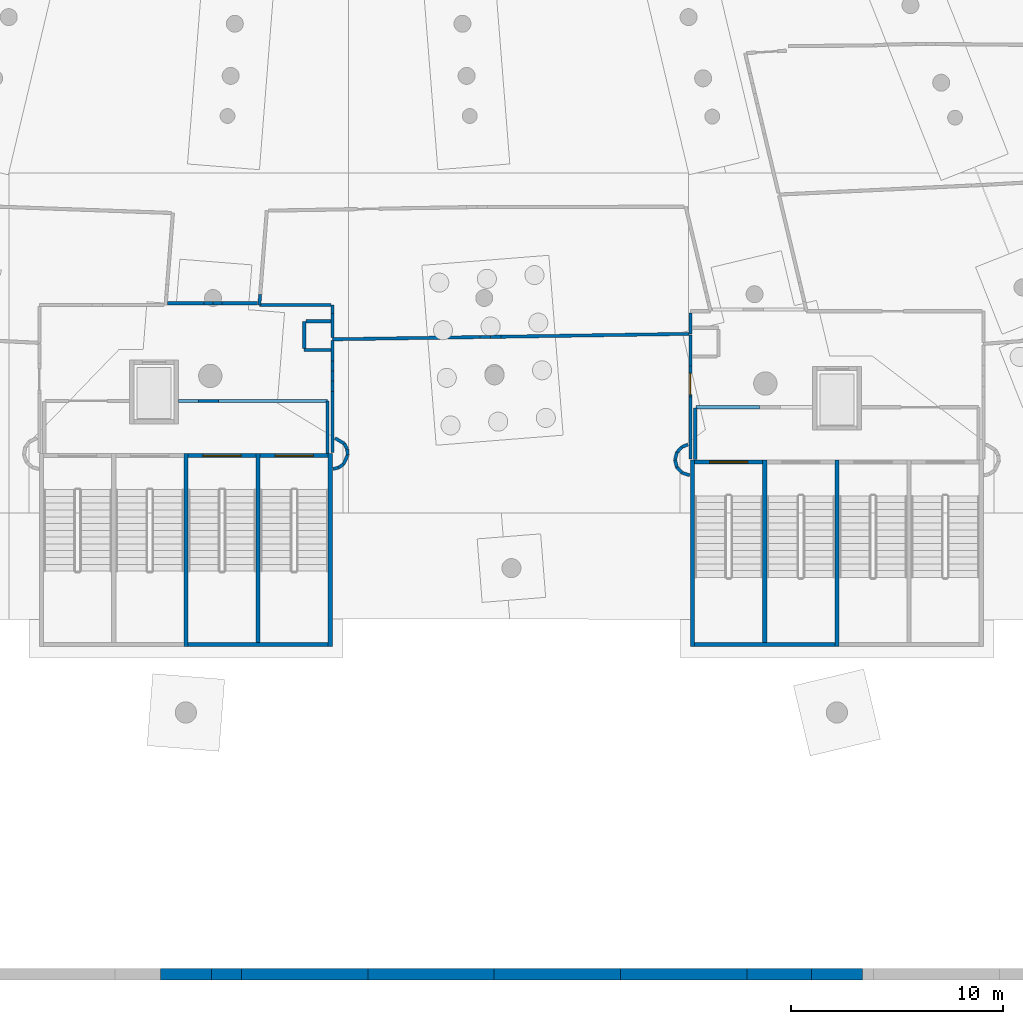
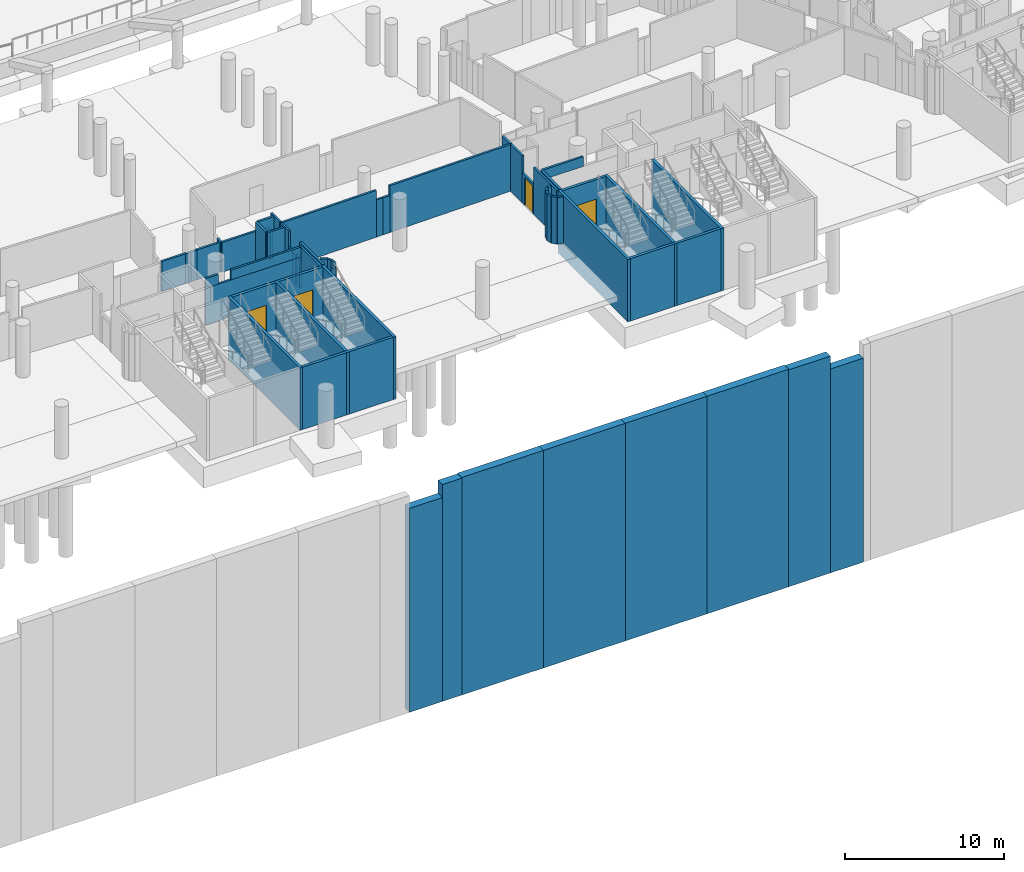
# One storey, part 50 of 142: 61 walls, 4 doors, 4 openings.
"""IFC4 building model written with IfcOpenShell, lengths in metres."""

from ifc_helpers import new_model, si_unit, direction, frame, frame_2d, origin, place, context, subcontext, project, spatial, rectangle, extrude, material, layer, layer_set, type_object, element, fill, save


model = new_model("IFC4")

# Units and contexts
model_context = context("Model", 3, precision=1e-05, world=origin(), true_north=direction((0.0, 1.0)))
body_context = subcontext(model_context, "Body", "Model", "MODEL_VIEW")
ifc_project = project(units=[si_unit("LENGTHUNIT", "METRE"), si_unit("AREAUNIT", "SQUARE_METRE"), si_unit("VOLUMEUNIT", "CUBIC_METRE"), si_unit("PLANEANGLEUNIT", "RADIAN"), si_unit("MASSUNIT", "GRAM", prefix="KILO")], contexts=[model_context])

# Site, building, storey
site_placement = place(None, origin())
site = spatial("IfcSite", under=ifc_project, at=site_placement, CompositionType="ELEMENT")
building_placement = place(site_placement, origin())
building = spatial("IfcBuilding", under=site, at=building_placement, Name="Meseta Stadium", CompositionType="ELEMENT")
storey_placement = place(building_placement, frame((0.0, 0.0, -4.0)))
storey = spatial("IfcBuildingStorey", under=building, at=storey_placement, Name="B1", CompositionType="ELEMENT", Elevation=-4.0)

# Walls
ifc_material_1 = material(Name="Concrete C40/50", Category="concrete")
ifc_layer_1 = layer(ifc_material_1, 0.199951171875)
ifc_layer_set_1 = layer_set([ifc_layer_1], Name="Core divider wall 200")
wall_type_1 = type_object("IfcWallType", Name="Core divider wall 200", PredefinedType="SHEAR", material=ifc_layer_set_1)
wall_1_placement = place(storey_placement, frame((-4.2666015625, -102.300048828125, -1.199951171875), z_axis=(0.0, 0.0, 1.0), x_axis=(0.0, 1.0, 0.0)))
element("IfcWall", 1, at=wall_1_placement, inside=storey, type_object=wall_type_1, Name="Core 24 B1 stair B divider wall", PredefinedType="SHEAR", context=body_context, shape_type="SweptSolid", body=[
    extrude(rectangle(XDim=9.10009765625, YDim=0.199951171875, at=frame_2d((4.550048828125, 0.0))), origin(), (0.0, 0.0, 1.0), 4.800048828125),
])
wall_2_placement = place(storey_placement, frame((19.60009765625, -102.300048828125, -1.199951171875), z_axis=(0.0, 0.0, 1.0), x_axis=(0.0, 1.0, 0.0)))
element("IfcWall", 2, at=wall_2_placement, inside=storey, type_object=wall_type_1, Name="Core 25 B1 stair A divider wall", PredefinedType="SHEAR", context=body_context, shape_type="SweptSolid", body=[
    extrude(rectangle(XDim=8.800048828125, YDim=0.199951171875, at=frame_2d((4.39990234375, 0.0))), origin(), (0.0, 0.0, 1.0), 4.800048828125),
])
ifc_material_2 = material(Name="Concrete C40/50", Category="concrete")
ifc_layer_2 = layer(ifc_material_2, 0.199951171875)
ifc_layer_set_2 = layer_set([ifc_layer_2], Name="Core shaft wall 200")
wall_type_2 = type_object("IfcWallType", Name="Core shaft wall 200", PredefinedType="SHEAR", material=ifc_layer_set_2)
for number, where, z_axis, x_axis, name in (
    (3, (-7.666748046875, -102.300048828125, -1.199951171875), (0.0, 0.0, 1.0), (0.0, 1.0, 0.0), "Core 24 B1 stair wall shared"),
    (4, (-0.86669921875, -102.300048828125, -1.199951171875), (0.0, 0.0, 1.0), (0.0, 1.0, 0.0), "Core 24 B1 stair wall B-side"),
):
    element("IfcWall", number, at=place(storey_placement, frame(where, z_axis=z_axis, x_axis=x_axis)), inside=storey, type_object=wall_type_2, Name=name, PredefinedType="SHEAR", context=body_context, shape_type="SweptSolid", body=[
        extrude(rectangle(XDim=9.10009765625, YDim=0.199951171875, at=frame_2d((4.550048828125, 0.0))), origin(), (0.0, 0.0, 1.0), 4.800048828125),
    ])
wall_3_placement = place(storey_placement, frame((-7.566650390625, -102.199951171875, -1.199951171875), z_axis=(0.0, 0.0, 1.0), x_axis=(1.0, 0.0, 0.0)))
element("IfcWall", 5, at=wall_3_placement, inside=storey, type_object=wall_type_2, Name="Core 24 B1 stair B outer end wall", PredefinedType="SHEAR", context=body_context, shape_type="SweptSolid", body=[
    extrude(rectangle(XDim=6.599853515625, YDim=0.199951171875, at=frame_2d((3.2998046875, 0.0))), origin(), (0.0, 0.0, 1.0), 4.800048828125),
])

# Wall, opening, door
wall_4_placement = place(storey_placement, frame((-7.566650390625, -93.300048828125, -1.199951171875), z_axis=(0.0, 0.0, 1.0), x_axis=(1.0, 0.0, 0.0)))
wall_4 = element("IfcWall", 6, at=wall_4_placement, inside=storey, type_object=wall_type_2, Name="Core 24 B1 stair B1 inner end wall", PredefinedType="SHEAR", context=body_context, shape_type="SweptSolid", body=[
    extrude(rectangle(XDim=3.199951171875, YDim=0.199951171875, at=frame_2d((1.60009765625, 0.0))), origin(), (0.0, 0.0, 1.0), 4.800048828125),
])
opening_1_placement = place(wall_4_placement, frame((0.699951171875, 0.0, 1.199951171875)))
opening_1 = element("IfcOpeningElement", 7, at=opening_1_placement, cuts=wall_4, Name="Opening D319", PredefinedType="OPENING", context=body_context, shape_type="SweptSolid", body=[
    extrude(rectangle(XDim=1.800048828125, YDim=2.10009765625, at=frame_2d((0.89990234375, 1.050048828125))), frame((0.0, 0.10986328125, 0.0), z_axis=(0.0, -1.0, 0.0), x_axis=(1.0, 0.0, 0.0)), (0.0, 0.0, 1.0), 0.219970703125),
])
ifc_material_3 = material(Name="Steel", Category="steel")
door_type_1 = type_object("IfcDoorType", Name="Stair door 1800x2100", OperationType="DOUBLE_DOOR_SINGLE_SWING", PredefinedType="DOOR", material=ifc_material_3)
door_1_placement = place(opening_1_placement, origin())
door_1 = element("IfcDoor", 8, at=door_1_placement, inside=storey, type_object=door_type_1, Name="Stair B1 door 24 B1", OperationType="DOUBLE_DOOR_SINGLE_SWING", OverallHeight=2.10009765625, OverallWidth=1.800048828125, PredefinedType="DOOR", context=body_context, shape_type="SweptSolid", body=[
    extrude(rectangle(XDim=1.800048828125, YDim=2.10009765625, at=frame_2d((0.89990234375, 1.050048828125))), frame((0.0, 0.02490234375, 0.0), z_axis=(0.0, -1.0, 0.0), x_axis=(1.0, 0.0, 0.0)), (0.0, 0.0, 1.0), 0.050048828125),
])
fill(opening_1, door_1)

wall_5_placement = place(storey_placement, frame((-4.166748046875, -93.300048828125, -1.199951171875), z_axis=(0.0, 0.0, 1.0), x_axis=(1.0, 0.0, 0.0)))
wall_5 = element("IfcWall", 9, at=wall_5_placement, inside=storey, type_object=wall_type_2, Name="Core 24 B1 stair B2 inner end wall", PredefinedType="SHEAR", context=body_context, shape_type="SweptSolid", body=[
    extrude(rectangle(XDim=3.199951171875, YDim=0.199951171875, at=frame_2d((1.60009765625, 0.0))), origin(), (0.0, 0.0, 1.0), 4.800048828125),
])
opening_2_placement = place(wall_5_placement, frame((0.699951171875, 0.0, 1.199951171875)))
opening_2 = element("IfcOpeningElement", 10, at=opening_2_placement, cuts=wall_5, Name="Opening D320", PredefinedType="OPENING", context=body_context, shape_type="SweptSolid", body=[
    extrude(rectangle(XDim=1.800048828125, YDim=2.10009765625, at=frame_2d((0.89990234375, 1.050048828125))), frame((0.0, 0.10986328125, 0.0), z_axis=(0.0, -1.0, 0.0), x_axis=(1.0, 0.0, 0.0)), (0.0, 0.0, 1.0), 0.219970703125),
])
door_2_placement = place(opening_2_placement, origin())
door_2 = element("IfcDoor", 11, at=door_2_placement, inside=storey, type_object=door_type_1, Name="Stair B2 door 24 B1", OperationType="DOUBLE_DOOR_SINGLE_SWING", OverallHeight=2.10009765625, OverallWidth=1.800048828125, PredefinedType="DOOR", context=body_context, shape_type="SweptSolid", body=[
    extrude(rectangle(XDim=1.800048828125, YDim=2.10009765625, at=frame_2d((0.89990234375, 1.050048828125))), frame((0.0, 0.02490234375, 0.0), z_axis=(0.0, -1.0, 0.0), x_axis=(1.0, 0.0, 0.0)), (0.0, 0.0, 1.0), 0.050048828125),
])
fill(opening_2, door_2)

# Walls
for number, where, z_axis, x_axis, name in (
    (12, (16.199951171875, -102.300048828125, -1.199951171875), (0.0, 0.0, 1.0), (0.0, 1.0, 0.0), "Core 25 B1 stair wall A-side"),
    (13, (23.0, -102.300048828125, -1.199951171875), (0.0, 0.0, 1.0), (0.0, 1.0, 0.0), "Core 25 B1 stair wall shared"),
):
    element("IfcWall", number, at=place(storey_placement, frame(where, z_axis=z_axis, x_axis=x_axis)), inside=storey, type_object=wall_type_2, Name=name, PredefinedType="SHEAR", context=body_context, shape_type="SweptSolid", body=[
        extrude(rectangle(XDim=8.800048828125, YDim=0.199951171875, at=frame_2d((4.39990234375, 0.0))), origin(), (0.0, 0.0, 1.0), 4.800048828125),
    ])
wall_6_placement = place(storey_placement, frame((16.300048828125, -102.199951171875, -1.199951171875), z_axis=(0.0, 0.0, 1.0), x_axis=(1.0, 0.0, 0.0)))
element("IfcWall", 14, at=wall_6_placement, inside=storey, type_object=wall_type_2, Name="Core 25 B1 stair A outer end wall", PredefinedType="SHEAR", context=body_context, shape_type="SweptSolid", body=[
    extrude(rectangle(XDim=6.599853515625, YDim=0.199951171875, at=frame_2d((3.2998046875, 0.0))), origin(), (0.0, 0.0, 1.0), 4.800048828125),
])

# Wall, opening, door
wall_7_placement = place(storey_placement, frame((16.300048828125, -93.60009765625, -1.199951171875), z_axis=(0.0, 0.0, 1.0), x_axis=(1.0, 0.0, 0.0)))
wall_7 = element("IfcWall", 15, at=wall_7_placement, inside=storey, type_object=wall_type_2, Name="Core 25 B1 stair A1 inner end wall", PredefinedType="SHEAR", context=body_context, shape_type="SweptSolid", body=[
    extrude(rectangle(XDim=3.199951171875, YDim=0.199951171875, at=frame_2d((1.60009765625, 0.0))), origin(), (0.0, 0.0, 1.0), 4.800048828125),
])
opening_3_placement = place(wall_7_placement, frame((0.699951171875, 0.0, 1.199951171875)))
opening_3 = element("IfcOpeningElement", 16, at=opening_3_placement, cuts=wall_7, Name="Opening D329", PredefinedType="OPENING", context=body_context, shape_type="SweptSolid", body=[
    extrude(rectangle(XDim=1.800048828125, YDim=2.10009765625, at=frame_2d((0.89990234375, 1.050048828125))), frame((0.0, 0.10986328125, 0.0), z_axis=(0.0, -1.0, 0.0), x_axis=(1.0, 0.0, 0.0)), (0.0, 0.0, 1.0), 0.219970703125),
])
door_3_placement = place(opening_3_placement, origin())
door_3 = element("IfcDoor", 17, at=door_3_placement, inside=storey, type_object=door_type_1, Name="Stair A1 door 25 B1", OperationType="DOUBLE_DOOR_SINGLE_SWING", OverallHeight=2.10009765625, OverallWidth=1.800048828125, PredefinedType="DOOR", context=body_context, shape_type="SweptSolid", body=[
    extrude(rectangle(XDim=1.800048828125, YDim=2.10009765625, at=frame_2d((0.89990234375, 1.050048828125))), frame((0.0, 0.02490234375, 0.0), z_axis=(0.0, -1.0, 0.0), x_axis=(1.0, 0.0, 0.0)), (0.0, 0.0, 1.0), 0.050048828125),
])
fill(opening_3, door_3)

# Walls
ifc_material_4 = material(Name="Masonry blockwork", Category="masonry")
ifc_layer_3 = layer(ifc_material_4, 0.14990234375)
ifc_layer_set_3 = layer_set([ifc_layer_3], Name="Partition 150")
wall_type_3 = type_object("IfcWallType", Name="Partition 150", PredefinedType="PARTITIONING", material=ifc_layer_set_3)
wall_8_placement = place(storey_placement, frame((16.10009765625, -86.574951171875, 0.0), z_axis=(0.0, 0.0, 1.0), x_axis=(0.0, -1.0, 0.0)))
element("IfcWall", 18, at=wall_8_placement, inside=storey, type_object=wall_type_3, Name="Partition B1 B1-cell23-1-0", PredefinedType="PARTITIONING", context=body_context, shape_type="SweptSolid", body=[
    extrude(rectangle(XDim=0.9892578125, YDim=0.14990234375, at=frame_2d((0.49462890625, 0.0))), origin(), (0.0, 0.0, 1.0), 3.60009765625),
])
wall_9_placement = place(storey_placement, frame((16.02490234375, -87.5654296875, 0.0), z_axis=(0.0, 0.0, 1.0), x_axis=(-0.999882927084, -0.015301376583, 0.0)))
element("IfcWall", 19, at=wall_9_placement, inside=storey, type_object=wall_type_3, Name="Partition B1 B1-cell23-1-0", PredefinedType="PARTITIONING", context=body_context, shape_type="SweptSolid", body=[
    extrude(rectangle(XDim=8.855224609375, YDim=0.14990234375, at=frame_2d((4.427734375, 0.0))), origin(), (0.0, 0.0, 1.0), 3.60009765625),
])
for number, where, z_axis, x_axis, name in (
    (20, (7.170654296875, -87.700927734375, 0.0), (0.0, 0.0, 1.0), (-0.999883648983, -0.015254130472, 0.0), "Partition B1 B1-cell23-1-0"),
    (21, (6.674560546875, -87.70849609375, 0.0), (0.0, 0.0, 1.0), (-0.999876022811, -0.015746079099, 0.0), "Partition B1 B1-cell23-1-0"),
):
    element("IfcWall", number, at=place(storey_placement, frame(where, z_axis=z_axis, x_axis=x_axis)), inside=storey, type_object=wall_type_3, Name=name, PredefinedType="PARTITIONING", context=body_context, shape_type="SweptSolid", body=[
        extrude(rectangle(XDim=0.49609375, YDim=0.14990234375, at=frame_2d((0.248046875, 0.0))), origin(), (0.0, 0.0, 1.0), 2.85009765625),
    ])
wall_10_placement = place(storey_placement, frame((6.178466796875, -87.71630859375, 0.0), z_axis=(0.0, 0.0, 1.0), x_axis=(-0.999883104063, -0.01528980737, 0.0)))
element("IfcWall", 22, at=wall_10_placement, inside=storey, type_object=wall_type_3, Name="Partition B1 B1-cell23-1-0", PredefinedType="PARTITIONING", context=body_context, shape_type="SweptSolid", body=[
    extrude(rectangle(XDim=6.94580078125, YDim=0.14990234375, at=frame_2d((3.472900390625, 0.0))), origin(), (0.0, 0.0, 1.0), 3.60009765625),
])
wall_11_placement = place(storey_placement, frame((-0.7666015625, -87.74755859375, 0.0), z_axis=(0.0, 0.0, 1.0), x_axis=(0.0, 1.0, 0.0)))
element("IfcWall", 23, at=wall_11_placement, inside=storey, type_object=wall_type_3, Name="Partition B1 B1-cell23-1-0", PredefinedType="PARTITIONING", context=body_context, shape_type="SweptSolid", body=[
    extrude(rectangle(XDim=1.141845703125, YDim=0.14990234375, at=frame_2d((0.57080078125, 0.0))), origin(), (0.0, 0.0, 1.0), 3.60009765625),
])
wall_12_placement = place(storey_placement, frame((-0.7666015625, -86.605712890625, 0.0), z_axis=(0.0, 0.0, 1.0), x_axis=(0.0, 1.0, 0.0)))
element("IfcWall", 24, at=wall_12_placement, inside=storey, type_object=wall_type_3, Name="Partition B1 B1-cell23-1-0", PredefinedType="PARTITIONING", context=body_context, shape_type="SweptSolid", body=[
    extrude(rectangle(XDim=0.40576171875, YDim=0.14990234375, at=frame_2d((0.202880859375, 0.0))), origin(), (0.0, 0.0, 1.0), 2.300048828125),
])
wall_13_placement = place(storey_placement, frame((-0.841796875, -86.199951171875, 0.0), z_axis=(0.0, 0.0, 1.0), x_axis=(-1.0, 0.0, 0.0)))
element("IfcWall", 25, at=wall_13_placement, inside=storey, type_object=wall_type_3, Name="Partition B1 B1-cell23-1-0", PredefinedType="PARTITIONING", context=body_context, shape_type="SweptSolid", body=[
    extrude(rectangle(XDim=3.364013671875, YDim=0.14990234375, at=frame_2d((1.68212890625, 0.0))), origin(), (0.0, 0.0, 1.0), 2.300048828125),
])
wall_14_placement = place(storey_placement, frame((-4.205810546875, -86.199951171875, 0.0), z_axis=(0.0, 0.0, 1.0), x_axis=(0.078999477554, 0.99687465739, 0.0)))
element("IfcWall", 26, at=wall_14_placement, inside=storey, type_object=wall_type_3, Name="Partition B1 B1-cell23-1-0", PredefinedType="PARTITIONING", context=body_context, shape_type="SweptSolid", body=[
    extrude(rectangle(XDim=0.494384765625, YDim=0.14990234375, at=frame_2d((0.2470703125, 0.0))), origin(), (0.0, 0.0, 1.0), 2.300048828125),
])
wall_15_placement = place(storey_placement, frame((-0.7666015625, -93.159912109375, 0.0), z_axis=(0.0, 0.0, 1.0), x_axis=(0.0, 1.0, 0.0)))
element("IfcWall", 27, at=wall_15_placement, inside=storey, type_object=wall_type_3, Name="Partition B1 B1-cell23-2-0", PredefinedType="PARTITIONING", context=body_context, shape_type="SweptSolid", body=[
    extrude(rectangle(XDim=2.884033203125, YDim=0.14990234375, at=frame_2d((1.44189453125, 0.0))), origin(), (0.0, 0.0, 1.0), 3.60009765625),
])
wall_16_placement = place(storey_placement, frame((-0.7666015625, -90.27587890625, 0.0), z_axis=(0.0, 0.0, 1.0), x_axis=(0.0, 1.0, 0.0)))
element("IfcWall", 28, at=wall_16_placement, inside=storey, type_object=wall_type_3, Name="Partition B1 B1-cell23-2-0", PredefinedType="PARTITIONING", context=body_context, shape_type="SweptSolid", body=[
    extrude(rectangle(XDim=0.48046875, YDim=0.14990234375, at=frame_2d((0.240234375, 0.0))), origin(), (0.0, 0.0, 1.0), 2.300048828125),
])
for number, where, z_axis, x_axis, name in (
    (29, (-0.7666015625, -89.79541015625, 0.0), (0.0, 0.0, 1.0), (0.0, 1.0, 0.0), "Partition B1 B1-cell23-2-0"),
    (30, (-0.7666015625, -89.314697265625, 0.0), (0.0, 0.0, 1.0), (0.0, 1.0, 0.0), "Partition B1 B1-cell23-2-0"),
):
    element("IfcWall", number, at=place(storey_placement, frame(where, z_axis=z_axis, x_axis=x_axis)), inside=storey, type_object=wall_type_3, Name=name, PredefinedType="PARTITIONING", context=body_context, shape_type="SweptSolid", body=[
        extrude(rectangle(XDim=0.480712890625, YDim=0.14990234375, at=frame_2d((0.240234375, 0.0))), origin(), (0.0, 0.0, 1.0), 2.300048828125),
    ])
wall_17_placement = place(storey_placement, frame((-0.7666015625, -88.833984375, 0.0), z_axis=(0.0, 0.0, 1.0), x_axis=(0.0, 1.0, 0.0)))
element("IfcWall", 31, at=wall_17_placement, inside=storey, type_object=wall_type_3, Name="Partition B1 B1-cell23-2-0", PredefinedType="PARTITIONING", context=body_context, shape_type="SweptSolid", body=[
    extrude(rectangle(XDim=0.96142578125, YDim=0.14990234375, at=frame_2d((0.480712890625, 0.0))), origin(), (0.0, 0.0, 1.0), 3.60009765625),
])
wall_18_placement = place(storey_placement, frame((16.10009765625, -87.6142578125, 0.0), z_axis=(0.0, 0.0, 1.0), x_axis=(0.0, -1.0, 0.0)))
element("IfcWall", 32, at=wall_18_placement, inside=storey, type_object=wall_type_3, Name="Partition B1 B1-cell23-2-0", PredefinedType="PARTITIONING", context=body_context, shape_type="SweptSolid", body=[
    extrude(rectangle(XDim=1.46142578125, YDim=0.14990234375, at=frame_2d((0.730712890625, 0.0))), origin(), (0.0, 0.0, 1.0), 3.60009765625),
])

# Wall, opening, door
wall_19_placement = place(storey_placement, frame((16.10009765625, -89.07568359375, 0.0), z_axis=(0.0, 0.0, 1.0), x_axis=(0.0, -1.0, 0.0)))
wall_19 = element("IfcWall", 33, at=wall_19_placement, inside=storey, type_object=wall_type_3, Name="Partition B1 B1-cell23-2-0", PredefinedType="PARTITIONING", context=body_context, shape_type="SweptSolid", body=[
    extrude(rectangle(XDim=1.46142578125, YDim=0.14990234375, at=frame_2d((0.730712890625, 0.0))), origin(), (0.0, 0.0, 1.0), 2.300048828125),
])
opening_4_placement = place(wall_19_placement, frame((0.35009765625, 0.0, 0.0)))
opening_4 = element("IfcOpeningElement", 34, at=opening_4_placement, cuts=wall_19, Name="Opening D500", PredefinedType="OPENING", context=body_context, shape_type="SweptSolid", body=[
    extrude(rectangle(XDim=1.0, YDim=2.10009765625, at=frame_2d((0.5, 1.050048828125))), frame((0.0, 0.0849609375, 0.0), z_axis=(0.0, -1.0, 0.0), x_axis=(1.0, 0.0, 0.0)), (0.0, 0.0, 1.0), 0.169921875),
])
ifc_material_5 = material(Name="Steel", Category="steel")
door_type_2 = type_object("IfcDoorType", Name="Fire door 1000x2100 EI2 120", OperationType="NOTDEFINED", PredefinedType="DOOR", material=ifc_material_5)
door_4_placement = place(opening_4_placement, origin())
door_4 = element("IfcDoor", 35, at=door_4_placement, inside=storey, type_object=door_type_2, Name="Door D500", OperationType="SINGLE_SWING_RIGHT", OverallHeight=2.10009765625, OverallWidth=1.0, PredefinedType="DOOR", context=body_context, shape_type="SweptSolid", body=[
    extrude(rectangle(XDim=1.0, YDim=2.10009765625, at=frame_2d((0.5, 1.050048828125))), frame((0.0, 0.02490234375, 0.0), z_axis=(0.0, -1.0, 0.0), x_axis=(1.0, 0.0, 0.0)), (0.0, 0.0, 1.0), 0.050048828125),
])
fill(opening_4, door_4)

# Walls
wall_20_placement = place(storey_placement, frame((16.10009765625, -90.537109375, 0.0), z_axis=(0.0, 0.0, 1.0), x_axis=(0.0, -1.0, 0.0)))
element("IfcWall", 36, at=wall_20_placement, inside=storey, type_object=wall_type_3, Name="Partition B1 B1-cell23-2-0", PredefinedType="PARTITIONING", context=body_context, shape_type="SweptSolid", body=[
    extrude(rectangle(XDim=2.9228515625, YDim=0.14990234375, at=frame_2d((1.46142578125, 0.0))), origin(), (0.0, 0.0, 1.0), 3.60009765625),
])
wall_21_placement = place(storey_placement, frame((-2.091796875, -88.324951171875, 0.0), z_axis=(0.0, 0.0, 1.0), x_axis=(1.0, 0.0, 0.0)))
element("IfcWall", 37, at=wall_21_placement, inside=storey, type_object=wall_type_3, Name="Pressurisation shaft wall B1 core 24", PredefinedType="PARTITIONING", context=body_context, shape_type="SweptSolid", body=[
    extrude(rectangle(XDim=1.2490234375, YDim=0.14990234375, at=frame_2d((0.62451171875, 0.0))), origin(), (0.0, 0.0, 1.0), 3.60009765625),
])
wall_22_placement = place(storey_placement, frame((-0.8427734375, -86.97509765625, 0.0), z_axis=(0.0, 0.0, 1.0), x_axis=(-1.0, 0.0, 0.0)))
element("IfcWall", 38, at=wall_22_placement, inside=storey, type_object=wall_type_3, Name="Pressurisation shaft wall B1 core 24", PredefinedType="PARTITIONING", context=body_context, shape_type="SweptSolid", body=[
    extrude(rectangle(XDim=1.173828125, YDim=0.14990234375, at=frame_2d((0.5869140625, 0.0))), origin(), (0.0, 0.0, 1.0), 3.60009765625),
])
wall_23_placement = place(storey_placement, frame((-2.091796875, -86.97509765625, 0.0), z_axis=(0.0, 0.0, 1.0), x_axis=(0.0, -1.0, 0.0)))
element("IfcWall", 39, at=wall_23_placement, inside=storey, type_object=wall_type_3, Name="Pressurisation shaft wall B1 core 24", PredefinedType="PARTITIONING", context=body_context, shape_type="SweptSolid", body=[
    extrude(rectangle(XDim=1.27490234375, YDim=0.14990234375, at=frame_2d((0.637451171875, 0.0))), origin(), (0.0, 0.0, 1.0), 3.60009765625),
])
wall_24_placement = place(storey_placement, frame((-0.99169921875, -93.18994140625, 0.0), z_axis=(0.0, 0.0, 1.0), x_axis=(0.0, 1.0, 0.0)))
element("IfcWall", 40, at=wall_24_placement, inside=storey, type_object=wall_type_3, Name="Stair vestibule wall B1 core 24", PredefinedType="PARTITIONING", context=body_context, shape_type="SweptSolid", body=[
    extrude(rectangle(XDim=2.46484375, YDim=0.14990234375, at=frame_2d((1.232421875, 0.0))), origin(), (0.0, 0.0, 1.0), 3.60009765625),
])
wall_25_placement = place(storey_placement, frame((-0.99169921875, -90.72509765625, 0.0), z_axis=(0.0, 0.0, 1.0), x_axis=(-1.0, 0.0, 0.0)))
element("IfcWall", 41, at=wall_25_placement, inside=storey, type_object=wall_type_3, Name="Stair vestibule wall B1 core 24", PredefinedType="PARTITIONING", context=body_context, shape_type="SweptSolid", body=[
    extrude(rectangle(XDim=7.014892578125, YDim=0.14990234375, at=frame_2d((3.50732421875, 0.0))), origin(), (0.0, 0.0, 1.0), 2.85009765625),
])
wall_26_placement = place(storey_placement, frame((-0.99169921875, -90.72509765625, 2.85009765625), z_axis=(0.0, 0.0, 1.0), x_axis=(-1.0, 0.0, 0.0)))
element("IfcWall", 42, at=wall_26_placement, inside=storey, type_object=wall_type_3, Name="Stair vestibule wall B1 core 24", PredefinedType="PARTITIONING", context=body_context, shape_type="SweptSolid", body=[
    extrude(rectangle(XDim=5.144287109375, YDim=0.14990234375, at=frame_2d((2.572265625, 0.0))), origin(), (0.0, 0.0, 1.0), 0.75),
])
wall_27_placement = place(storey_placement, frame((-7.0712890625, -90.72509765625, 2.85009765625), z_axis=(0.0, 0.0, 1.0), x_axis=(-1.0, 0.0, 0.0)))
element("IfcWall", 43, at=wall_27_placement, inside=storey, type_object=wall_type_3, Name="Stair vestibule wall B1 core 24", PredefinedType="PARTITIONING", context=body_context, shape_type="SweptSolid", body=[
    extrude(rectangle(XDim=0.935302734375, YDim=0.14990234375, at=frame_2d((0.4677734375, 0.0))), origin(), (0.0, 0.0, 1.0), 0.75),
])
wall_28_placement = place(storey_placement, frame((-0.73828125, -93.9296875, 0.0), z_axis=(0.0, 0.0, 1.0), x_axis=(0.973130593004, 0.230253879357, 0.0)))
element("IfcWall", 44, at=wall_28_placement, inside=storey, type_object=wall_type_3, Name="Stair vestibule wall B1 core 24", PredefinedType="PARTITIONING", context=body_context, shape_type="SweptSolid", body=[
    extrude(rectangle(XDim=0.257568359375, YDim=0.14990234375, at=frame_2d((0.12890625, 0.0))), origin(), (0.0, 0.0, 1.0), 3.60009765625),
])
wall_29_placement = place(storey_placement, frame((-0.487548828125, -93.870361328125, 0.0), z_axis=(0.0, 0.0, 1.0), x_axis=(0.831397130511, 0.555678694372, 0.0)))
element("IfcWall", 45, at=wall_29_placement, inside=storey, type_object=wall_type_3, Name="Stair vestibule wall B1 core 24", PredefinedType="PARTITIONING", context=body_context, shape_type="SweptSolid", body=[
    extrude(rectangle(XDim=0.287841796875, YDim=0.14990234375, at=frame_2d((0.14404296875, 0.0))), origin(), (0.0, 0.0, 1.0), 3.60009765625),
])
wall_30_placement = place(storey_placement, frame((-0.248291015625, -93.71044921875, 0.0), z_axis=(0.0, 0.0, 1.0), x_axis=(0.427757963167, 0.903893315025, 0.0)))
element("IfcWall", 46, at=wall_30_placement, inside=storey, type_object=wall_type_3, Name="Stair vestibule wall B1 core 24", PredefinedType="PARTITIONING", context=body_context, shape_type="SweptSolid", body=[
    extrude(rectangle(XDim=0.4794921875, YDim=0.14990234375, at=frame_2d((0.23974609375, 0.0))), origin(), (0.0, 0.0, 1.0), 3.60009765625),
])
wall_31_placement = place(storey_placement, frame((-0.043212890625, -93.277099609375, 0.0), z_axis=(0.0, 0.0, 1.0), x_axis=(-0.0978334953, 0.99520279702, 0.0)))
element("IfcWall", 47, at=wall_31_placement, inside=storey, type_object=wall_type_3, Name="Stair vestibule wall B1 core 24", PredefinedType="PARTITIONING", context=body_context, shape_type="SweptSolid", body=[
    extrude(rectangle(XDim=0.28955078125, YDim=0.14990234375, at=frame_2d((0.144775390625, 0.0))), origin(), (0.0, 0.0, 1.0), 3.60009765625),
])
wall_32_placement = place(storey_placement, frame((-0.071533203125, -92.989013671875, 0.0), z_axis=(0.0, 0.0, 1.0), x_axis=(-0.471682765858, 0.881768319, 0.0)))
element("IfcWall", 48, at=wall_32_placement, inside=storey, type_object=wall_type_3, Name="Stair vestibule wall B1 core 24", PredefinedType="PARTITIONING", context=body_context, shape_type="SweptSolid", body=[
    extrude(rectangle(XDim=0.289306640625, YDim=0.14990234375, at=frame_2d((0.14453125, 0.0))), origin(), (0.0, 0.0, 1.0), 3.60009765625),
])
wall_33_placement = place(storey_placement, frame((-0.2080078125, -92.73388671875, 0.0), z_axis=(0.0, 0.0, 1.0), x_axis=(-0.85856712863, 0.512701166017, 0.0)))
element("IfcWall", 49, at=wall_33_placement, inside=storey, type_object=wall_type_3, Name="Stair vestibule wall B1 core 24", PredefinedType="PARTITIONING", context=body_context, shape_type="SweptSolid", body=[
    extrude(rectangle(XDim=0.50048828125, YDim=0.14990234375, at=frame_2d((0.250244140625, 0.0))), origin(), (0.0, 0.0, 1.0), 3.60009765625),
])
wall_34_placement = place(storey_placement, frame((-4.290283203125, -86.125, 0.0), z_axis=(0.0, 0.0, 1.0), x_axis=(-1.0, 0.0, 0.0)))
element("IfcWall", 50, at=wall_34_placement, inside=storey, type_object=wall_type_3, Name="Stair vestibule wall B1 core 24", PredefinedType="PARTITIONING", context=body_context, shape_type="SweptSolid", body=[
    extrude(rectangle(XDim=1.680419921875, YDim=0.14990234375, at=frame_2d((0.84033203125, 0.0))), origin(), (0.0, 0.0, 1.0), 2.300048828125),
])
wall_35_placement = place(storey_placement, frame((-6.80322265625, -86.125, 0.0), z_axis=(0.0, 0.0, 1.0), x_axis=(-1.0, 0.0, 0.0)))
element("IfcWall", 51, at=wall_35_placement, inside=storey, type_object=wall_type_3, Name="Stair vestibule wall B1 core 24", PredefinedType="PARTITIONING", context=body_context, shape_type="SweptSolid", body=[
    extrude(rectangle(XDim=1.73095703125, YDim=0.14990234375, at=frame_2d((0.865478515625, 0.0))), origin(), (0.0, 0.0, 1.0), 2.300048828125),
])
wall_36_placement = place(storey_placement, frame((-5.970703125, -86.125, 0.0), z_axis=(0.0, 0.0, 1.0), x_axis=(-1.0, 0.0, 0.0)))
element("IfcWall", 52, at=wall_36_placement, inside=storey, type_object=wall_type_3, Name="Stair vestibule wall B1 core 24", PredefinedType="PARTITIONING", context=body_context, shape_type="SweptSolid", body=[
    extrude(rectangle(XDim=0.41650390625, YDim=0.14990234375, at=frame_2d((0.208251953125, 0.0))), origin(), (0.0, 0.0, 1.0), 2.300048828125),
])
wall_37_placement = place(storey_placement, frame((-6.38720703125, -86.125, 0.0), z_axis=(0.0, 0.0, 1.0), x_axis=(-1.0, 0.0, 0.0)))
element("IfcWall", 53, at=wall_37_placement, inside=storey, type_object=wall_type_3, Name="Stair vestibule wall B1 core 24", PredefinedType="PARTITIONING", context=body_context, shape_type="SweptSolid", body=[
    extrude(rectangle(XDim=0.416015625, YDim=0.14990234375, at=frame_2d((0.2080078125, 0.0))), origin(), (0.0, 0.0, 1.0), 2.300048828125),
])
wall_38_placement = place(storey_placement, frame((16.324951171875, -91.06005859375, 0.0), z_axis=(0.0, 0.0, 1.0), x_axis=(0.0, -1.0, 0.0)))
element("IfcWall", 54, at=wall_38_placement, inside=storey, type_object=wall_type_3, Name="Stair vestibule wall B1 core 25", PredefinedType="PARTITIONING", context=body_context, shape_type="SweptSolid", body=[
    extrude(rectangle(XDim=2.429931640625, YDim=0.14990234375, at=frame_2d((1.21484375, 0.0))), origin(), (0.0, 0.0, 1.0), 3.60009765625),
])
wall_39_placement = place(storey_placement, frame((19.34912109375, -91.02490234375, 2.85009765625), z_axis=(0.0, 0.0, 1.0), x_axis=(-1.0, 0.0, 0.0)))
element("IfcWall", 55, at=wall_39_placement, inside=storey, type_object=wall_type_3, Name="Stair vestibule wall B1 core 25", PredefinedType="PARTITIONING", context=body_context, shape_type="SweptSolid", body=[
    extrude(rectangle(XDim=2.989013671875, YDim=0.14990234375, at=frame_2d((1.49462890625, 0.0))), origin(), (0.0, 0.0, 1.0), 0.75),
])
wall_40_placement = place(storey_placement, frame((15.463623046875, -93.13671875, 0.0), z_axis=(0.0, 0.0, 1.0), x_axis=(-0.242535625036, -0.970142500145, 0.0)))
element("IfcWall", 56, at=wall_40_placement, inside=storey, type_object=wall_type_3, Name="Stair vestibule wall B1 core 25", PredefinedType="PARTITIONING", context=body_context, shape_type="SweptSolid", body=[
    extrude(rectangle(XDim=0.37451171875, YDim=0.14990234375, at=frame_2d((0.187255859375, 0.0))), origin(), (0.0, 0.0, 1.0), 3.60009765625),
])
wall_41_placement = place(storey_placement, frame((15.372802734375, -93.5, 0.0), z_axis=(0.0, 0.0, 1.0), x_axis=(0.242535625036, -0.970142500145, 0.0)))
element("IfcWall", 57, at=wall_41_placement, inside=storey, type_object=wall_type_3, Name="Stair vestibule wall B1 core 25", PredefinedType="PARTITIONING", context=body_context, shape_type="SweptSolid", body=[
    extrude(rectangle(XDim=0.353271484375, YDim=0.14990234375, at=frame_2d((0.1767578125, 0.0))), origin(), (0.0, 0.0, 1.0), 3.60009765625),
])
wall_42_placement = place(storey_placement, frame((15.45849609375, -93.8427734375, 0.0), z_axis=(0.0, 0.0, 1.0), x_axis=(0.671779735796, -0.740750961237, 0.0)))
element("IfcWall", 58, at=wall_42_placement, inside=storey, type_object=wall_type_3, Name="Stair vestibule wall B1 core 25", PredefinedType="PARTITIONING", context=body_context, shape_type="SweptSolid", body=[
    extrude(rectangle(XDim=0.35400390625, YDim=0.14990234375, at=frame_2d((0.177001953125, 0.0))), origin(), (0.0, 0.0, 1.0), 3.60009765625),
])
wall_43_placement = place(storey_placement, frame((15.6962890625, -94.10498046875, 0.0), z_axis=(0.0, 0.0, 1.0), x_axis=(0.945493169619, -0.32564192943, 0.0)))
element("IfcWall", 59, at=wall_43_placement, inside=storey, type_object=wall_type_3, Name="Stair vestibule wall B1 core 25", PredefinedType="PARTITIONING", context=body_context, shape_type="SweptSolid", body=[
    extrude(rectangle(XDim=0.388427734375, YDim=0.14990234375, at=frame_2d((0.1943359375, 0.0))), origin(), (0.0, 0.0, 1.0), 3.60009765625),
])
wall_44_placement = place(storey_placement, frame((15.9833984375, -92.777587890625, 0.0), z_axis=(0.0, 0.0, 1.0), x_axis=(-0.924710471816, -0.380671174788, 0.0)))
element("IfcWall", 60, at=wall_44_placement, inside=storey, type_object=wall_type_3, Name="Stair vestibule wall B1 core 25", PredefinedType="PARTITIONING", context=body_context, shape_type="SweptSolid", body=[
    extrude(rectangle(XDim=0.312255859375, YDim=0.14990234375, at=frame_2d((0.15625, 0.0))), origin(), (0.0, 0.0, 1.0), 3.60009765625),
])
wall_45_placement = place(storey_placement, frame((15.694580078125, -92.896484375, 0.0), z_axis=(0.0, 0.0, 1.0), x_axis=(-0.671204763042, -0.741271991964, 0.0)))
element("IfcWall", 61, at=wall_45_placement, inside=storey, type_object=wall_type_3, Name="Stair vestibule wall B1 core 25", PredefinedType="PARTITIONING", context=body_context, shape_type="SweptSolid", body=[
    extrude(rectangle(XDim=0.372802734375, YDim=0.14990234375, at=frame_2d((0.1865234375, 0.0))), origin(), (0.0, 0.0, 1.0), 3.60009765625),
])
ifc_material_6 = material(Name="Concrete C30/37", Category="concrete")
ifc_layer_4 = layer(ifc_material_6, 0.550048828125)
ifc_layer_set_4 = layer_set([ifc_layer_4], Name="Site retaining wall 550")
wall_type_4 = type_object("IfcWallType", Name="Site retaining wall 550", PredefinedType="SOLIDWALL", material=ifc_layer_set_4)
wall_46_placement = place(storey_placement, frame((-8.86669921875, -117.72509765625, -13.0), z_axis=(0.0, 0.0, 1.0), x_axis=(1.0, 0.0, 0.0)))
element("IfcWall", 62, at=wall_46_placement, inside=storey, type_object=wall_type_4, Name="Site retaining wall 25", PredefinedType="SOLIDWALL", context=body_context, shape_type="SweptSolid", body=[
    extrude(rectangle(XDim=2.39990234375, YDim=0.550048828125, at=frame_2d((1.199951171875, 0.0))), origin(), (0.0, 0.0, 1.0), 15.699951171875),
])
wall_47_placement = place(storey_placement, frame((-6.466796875, -117.72509765625, -13.0), z_axis=(0.0, 0.0, 1.0), x_axis=(1.0, 0.0, 0.0)))
element("IfcWall", 63, at=wall_47_placement, inside=storey, type_object=wall_type_4, Name="Site retaining wall 26", PredefinedType="SOLIDWALL", context=body_context, shape_type="SweptSolid", body=[
    extrude(rectangle(XDim=1.419189453125, YDim=0.550048828125, at=frame_2d((0.70947265625, 0.0))), origin(), (0.0, 0.0, 1.0), 16.699951171875),
])
for number, where, z_axis, x_axis, name in (
    (64, (-5.047607421875, -117.72509765625, -13.0), (0.0, 0.0, 1.0), (1.0, 0.0, 0.0), "Site retaining wall 27"),
    (65, (0.90478515625, -117.72509765625, -13.0), (0.0, 0.0, 1.0), (1.0, 0.0, 0.0), "Site retaining wall 28"),
):
    element("IfcWall", number, at=place(storey_placement, frame(where, z_axis=z_axis, x_axis=x_axis)), inside=storey, type_object=wall_type_4, Name=name, PredefinedType="SOLIDWALL", context=body_context, shape_type="SweptSolid", body=[
        extrude(rectangle(XDim=5.952392578125, YDim=0.550048828125, at=frame_2d((2.97607421875, 0.0))), origin(), (0.0, 0.0, 1.0), 16.75),
    ])
wall_48_placement = place(storey_placement, frame((6.857177734375, -117.72509765625, -13.0), z_axis=(0.0, 0.0, 1.0), x_axis=(1.0, 0.0, 0.0)))
element("IfcWall", 66, at=wall_48_placement, inside=storey, type_object=wall_type_4, Name="Site retaining wall 29", PredefinedType="SOLIDWALL", context=body_context, shape_type="SweptSolid", body=[
    extrude(rectangle(XDim=5.9521484375, YDim=0.550048828125, at=frame_2d((2.97607421875, 0.0))), origin(), (0.0, 0.0, 1.0), 16.75),
])
wall_49_placement = place(storey_placement, frame((12.809326171875, -117.72509765625, -13.0), z_axis=(0.0, 0.0, 1.0), x_axis=(1.0, 0.0, 0.0)))
element("IfcWall", 67, at=wall_49_placement, inside=storey, type_object=wall_type_4, Name="Site retaining wall 30", PredefinedType="SOLIDWALL", context=body_context, shape_type="SweptSolid", body=[
    extrude(rectangle(XDim=5.952392578125, YDim=0.550048828125, at=frame_2d((2.97607421875, 0.0))), origin(), (0.0, 0.0, 1.0), 16.75),
])
wall_50_placement = place(storey_placement, frame((18.76171875, -117.72509765625, -13.0), z_axis=(0.0, 0.0, 1.0), x_axis=(1.0, 0.0, 0.0)))
element("IfcWall", 68, at=wall_50_placement, inside=storey, type_object=wall_type_4, Name="Site retaining wall 31", PredefinedType="SOLIDWALL", context=body_context, shape_type="SweptSolid", body=[
    extrude(rectangle(XDim=3.038330078125, YDim=0.550048828125, at=frame_2d((1.51904296875, 0.0))), origin(), (0.0, 0.0, 1.0), 16.699951171875),
])
wall_51_placement = place(storey_placement, frame((21.800048828125, -117.72509765625, -13.0), z_axis=(0.0, 0.0, 1.0), x_axis=(1.0, 0.0, 0.0)))
element("IfcWall", 69, at=wall_51_placement, inside=storey, type_object=wall_type_4, Name="Site retaining wall 32", PredefinedType="SOLIDWALL", context=body_context, shape_type="SweptSolid", body=[
    extrude(rectangle(XDim=2.39990234375, YDim=0.550048828125, at=frame_2d((1.199951171875, 0.0))), origin(), (0.0, 0.0, 1.0), 15.699951171875),
])

save(model, "model.ifc")
